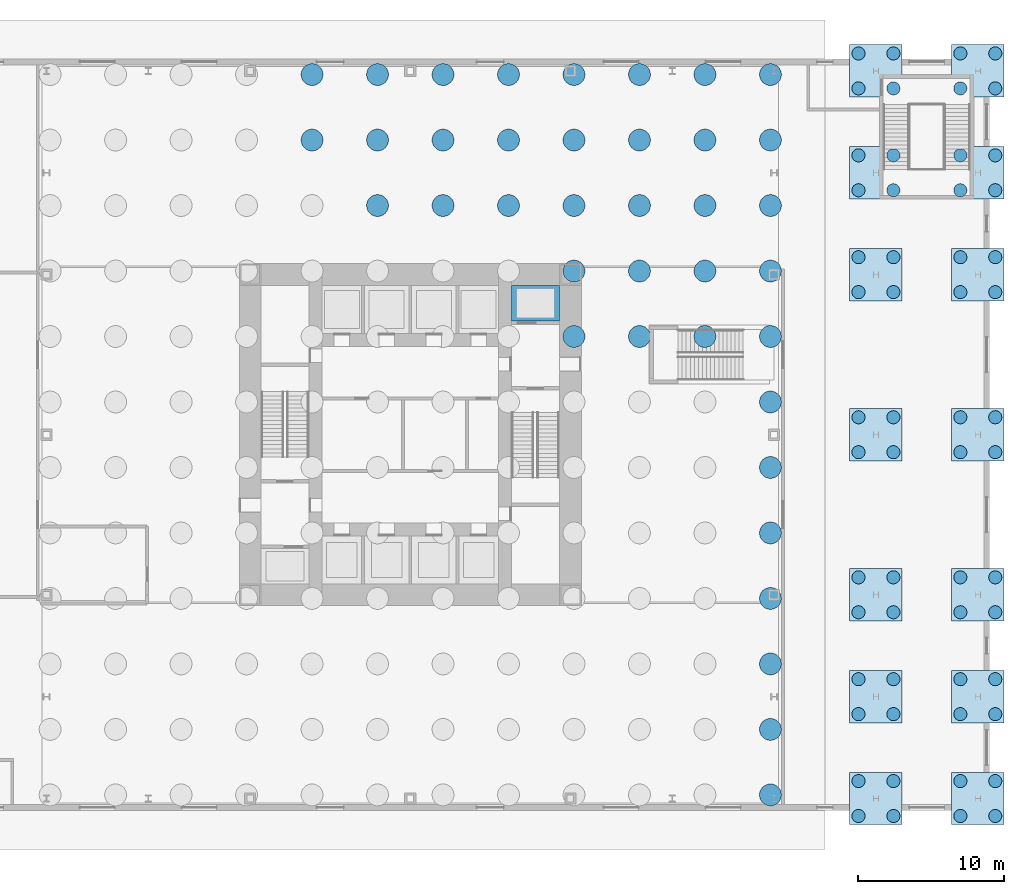
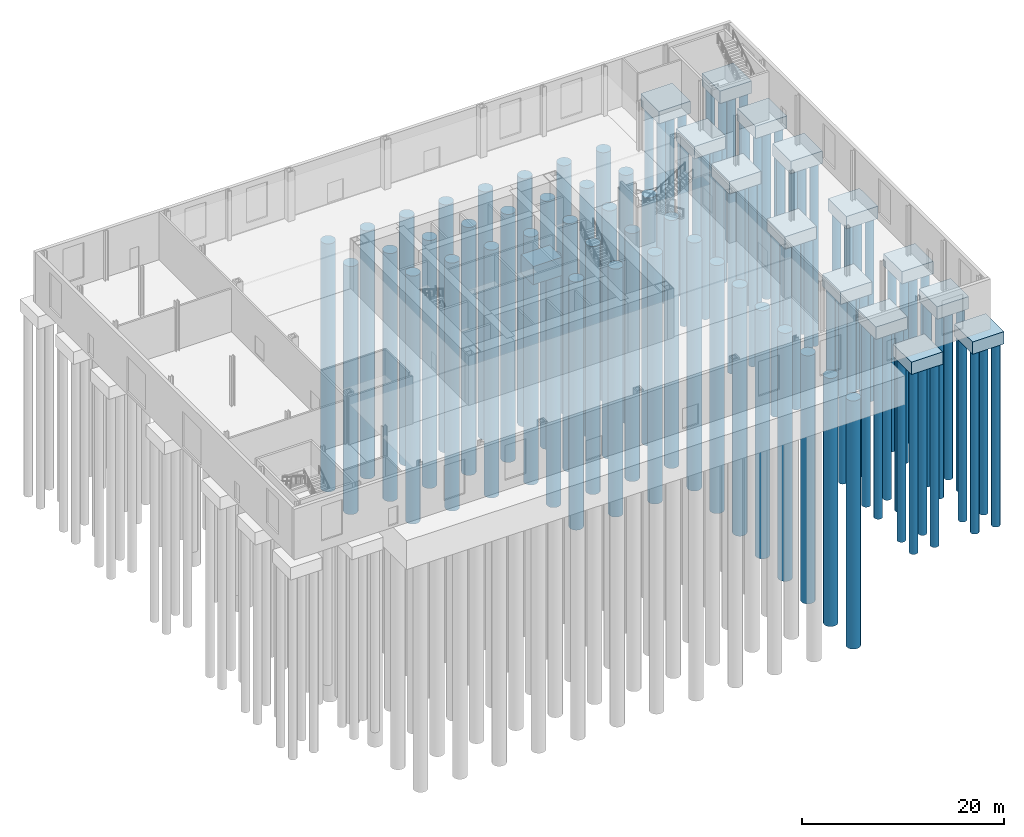
# One storey, part 2 of 16: 94 piles, 15 footings.
"""IFC4 building model written with IfcOpenShell, lengths in metres."""

from ifc_helpers import new_model, si_unit, direction, frame, origin, origin_2d, place, context, subcontext, project, spatial, polyline, circle, outline, extrude, material, layer, layer_set, material_profile, profile_set, type_object, element, save


model = new_model("IFC4")

# Units and contexts
model_context = context("Model", 3, precision=1e-05, world=origin(), true_north=direction((0.0, 1.0)))
body_context = subcontext(model_context, "Body", "Model", "MODEL_VIEW")
ifc_project = project(units=[si_unit("LENGTHUNIT", "METRE"), si_unit("AREAUNIT", "SQUARE_METRE"), si_unit("VOLUMEUNIT", "CUBIC_METRE"), si_unit("PLANEANGLEUNIT", "RADIAN"), si_unit("MASSUNIT", "GRAM", prefix="KILO")], contexts=[model_context])

# Site, building, storey
site_placement = place(None, origin())
site = spatial("IfcSite", under=ifc_project, at=site_placement, CompositionType="ELEMENT")
building_placement = place(site_placement, origin())
building = spatial("IfcBuilding", under=site, at=building_placement, Name="Trevanion Tower", CompositionType="ELEMENT")
storey_placement = place(building_placement, origin())
storey = spatial("IfcBuildingStorey", under=building, at=storey_placement, Name="L00", CompositionType="ELEMENT", Elevation=0.0)

# Piles
ifc_material_1 = material(Name="Concrete 6,000 psi", Category="concrete")
ifc_material_profile_1 = material_profile(ifc_material_1, circle(Radius=0.449951171875, at=origin_2d()), Name="BP1 bored pile 900")
ifc_profile_set_1 = profile_set([ifc_material_profile_1], Name="Concrete 6,000 psi")
pile_type_1 = type_object("IfcPileType", Name="BP1 bored pile 900", PredefinedType="BORED", material=ifc_profile_set_1)
for number, where, z_axis, x_axis, name in (
    (1, (30.800048828125, -26.199951171875, -1.800048828125), (0.0, 0.0, -1.0), (1.0, 0.0, 0.0), "BP1 18/A 1"),
    (2, (33.199951171875, -26.199951171875, -1.800048828125), (0.0, 0.0, -1.0), (1.0, 0.0, 0.0), "BP1 18/A 2"),
    (3, (33.199951171875, -23.800048828125, -1.800048828125), (0.0, 0.0, -1.0), (1.0, 0.0, 0.0), "BP1 18/A 3"),
    (4, (30.800048828125, -23.800048828125, -1.800048828125), (0.0, 0.0, -1.0), (1.0, 0.0, 0.0), "BP1 18/A 4"),
    (5, (30.800048828125, -19.199951171875, -1.800048828125), (0.0, 0.0, -1.0), (1.0, 0.0, 0.0), "BP1 18/D 1"),
    (6, (33.199951171875, -19.199951171875, -1.800048828125), (0.0, 0.0, -1.0), (1.0, 0.0, 0.0), "BP1 18/D 2"),
    (7, (33.199951171875, -16.800048828125, -1.800048828125), (0.0, 0.0, -1.0), (1.0, 0.0, 0.0), "BP1 18/D 3"),
    (8, (30.800048828125, -16.800048828125, -1.800048828125), (0.0, 0.0, -1.0), (1.0, 0.0, 0.0), "BP1 18/D 4"),
    (9, (30.800048828125, -12.199951171875, -1.800048828125), (0.0, 0.0, -1.0), (1.0, 0.0, 0.0), "BP1 18/F 1"),
    (10, (33.199951171875, -12.199951171875, -1.800048828125), (0.0, 0.0, -1.0), (1.0, 0.0, 0.0), "BP1 18/F 2"),
    (11, (33.199951171875, -9.800048828125, -1.800048828125), (0.0, 0.0, -1.0), (1.0, 0.0, 0.0), "BP1 18/F 3"),
    (12, (30.800048828125, -9.800048828125, -1.800048828125), (0.0, 0.0, -1.0), (1.0, 0.0, 0.0), "BP1 18/F 4"),
    (13, (30.800048828125, -1.199951171875, -1.800048828125), (0.0, 0.0, -1.0), (1.0, 0.0, 0.0), "BP1 18/H 1"),
    (14, (33.199951171875, -1.199951171875, -1.800048828125), (0.0, 0.0, -1.0), (1.0, 0.0, 0.0), "BP1 18/H 2"),
    (15, (33.199951171875, 1.199951171875, -1.800048828125), (0.0, 0.0, -1.0), (1.0, 0.0, 0.0), "BP1 18/H 3"),
    (16, (30.800048828125, 1.199951171875, -1.800048828125), (0.0, 0.0, -1.0), (1.0, 0.0, 0.0), "BP1 18/H 4"),
    (17, (30.800048828125, 9.800048828125, -1.800048828125), (0.0, 0.0, -1.0), (1.0, 0.0, 0.0), "BP1 18/K 1"),
    (18, (33.199951171875, 9.800048828125, -1.800048828125), (0.0, 0.0, -1.0), (1.0, 0.0, 0.0), "BP1 18/K 2"),
    (19, (33.199951171875, 12.199951171875, -1.800048828125), (0.0, 0.0, -1.0), (1.0, 0.0, 0.0), "BP1 18/K 3"),
    (20, (30.800048828125, 12.199951171875, -1.800048828125), (0.0, 0.0, -1.0), (1.0, 0.0, 0.0), "BP1 18/K 4"),
    (21, (30.800048828125, 16.800048828125, -1.800048828125), (0.0, 0.0, -1.0), (1.0, 0.0, 0.0), "BP1 18/M 1"),
    (22, (33.199951171875, 16.800048828125, -1.800048828125), (0.0, 0.0, -1.0), (1.0, 0.0, 0.0), "BP1 18/M 2"),
    (23, (33.199951171875, 19.199951171875, -1.800048828125), (0.0, 0.0, -1.0), (1.0, 0.0, 0.0), "BP1 18/M 3"),
    (24, (30.800048828125, 19.199951171875, -1.800048828125), (0.0, 0.0, -1.0), (1.0, 0.0, 0.0), "BP1 18/M 4"),
    (25, (30.800048828125, 23.800048828125, -1.800048828125), (0.0, 0.0, -1.0), (1.0, 0.0, 0.0), "BP1 18/Q 1"),
    (26, (33.199951171875, 23.800048828125, -1.800048828125), (0.0, 0.0, -1.0), (1.0, 0.0, 0.0), "BP1 18/Q 2"),
    (27, (33.199951171875, 26.199951171875, -1.800048828125), (0.0, 0.0, -1.0), (1.0, 0.0, 0.0), "BP1 18/Q 3"),
    (28, (30.800048828125, 26.199951171875, -1.800048828125), (0.0, 0.0, -1.0), (1.0, 0.0, 0.0), "BP1 18/Q 4"),
    (29, (37.800048828125, -26.199951171875, -1.800048828125), (0.0, 0.0, -1.0), (1.0, 0.0, 0.0), "BP1 19/A 1"),
    (30, (40.199951171875, -26.199951171875, -1.800048828125), (0.0, 0.0, -1.0), (1.0, 0.0, 0.0), "BP1 19/A 2"),
    (31, (40.199951171875, -23.800048828125, -1.800048828125), (0.0, 0.0, -1.0), (1.0, 0.0, 0.0), "BP1 19/A 3"),
    (32, (37.800048828125, -23.800048828125, -1.800048828125), (0.0, 0.0, -1.0), (1.0, 0.0, 0.0), "BP1 19/A 4"),
    (33, (37.800048828125, -19.199951171875, -1.800048828125), (0.0, 0.0, -1.0), (1.0, 0.0, 0.0), "BP1 19/D 1"),
    (34, (40.199951171875, -19.199951171875, -1.800048828125), (0.0, 0.0, -1.0), (1.0, 0.0, 0.0), "BP1 19/D 2"),
    (35, (40.199951171875, -16.800048828125, -1.800048828125), (0.0, 0.0, -1.0), (1.0, 0.0, 0.0), "BP1 19/D 3"),
    (36, (37.800048828125, -16.800048828125, -1.800048828125), (0.0, 0.0, -1.0), (1.0, 0.0, 0.0), "BP1 19/D 4"),
    (37, (37.800048828125, -12.199951171875, -1.800048828125), (0.0, 0.0, -1.0), (1.0, 0.0, 0.0), "BP1 19/F 1"),
    (38, (40.199951171875, -12.199951171875, -1.800048828125), (0.0, 0.0, -1.0), (1.0, 0.0, 0.0), "BP1 19/F 2"),
    (39, (40.199951171875, -9.800048828125, -1.800048828125), (0.0, 0.0, -1.0), (1.0, 0.0, 0.0), "BP1 19/F 3"),
    (40, (37.800048828125, -9.800048828125, -1.800048828125), (0.0, 0.0, -1.0), (1.0, 0.0, 0.0), "BP1 19/F 4"),
    (41, (37.800048828125, -1.199951171875, -1.800048828125), (0.0, 0.0, -1.0), (1.0, 0.0, 0.0), "BP1 19/H 1"),
    (42, (40.199951171875, -1.199951171875, -1.800048828125), (0.0, 0.0, -1.0), (1.0, 0.0, 0.0), "BP1 19/H 2"),
    (43, (40.199951171875, 1.199951171875, -1.800048828125), (0.0, 0.0, -1.0), (1.0, 0.0, 0.0), "BP1 19/H 3"),
    (44, (37.800048828125, 1.199951171875, -1.800048828125), (0.0, 0.0, -1.0), (1.0, 0.0, 0.0), "BP1 19/H 4"),
    (45, (37.800048828125, 9.800048828125, -1.800048828125), (0.0, 0.0, -1.0), (1.0, 0.0, 0.0), "BP1 19/K 1"),
    (46, (40.199951171875, 9.800048828125, -1.800048828125), (0.0, 0.0, -1.0), (1.0, 0.0, 0.0), "BP1 19/K 2"),
    (47, (40.199951171875, 12.199951171875, -1.800048828125), (0.0, 0.0, -1.0), (1.0, 0.0, 0.0), "BP1 19/K 3"),
    (48, (37.800048828125, 12.199951171875, -1.800048828125), (0.0, 0.0, -1.0), (1.0, 0.0, 0.0), "BP1 19/K 4"),
    (49, (37.800048828125, 16.800048828125, -1.800048828125), (0.0, 0.0, -1.0), (1.0, 0.0, 0.0), "BP1 19/M 1"),
    (50, (40.199951171875, 16.800048828125, -1.800048828125), (0.0, 0.0, -1.0), (1.0, 0.0, 0.0), "BP1 19/M 2"),
    (51, (40.199951171875, 19.199951171875, -1.800048828125), (0.0, 0.0, -1.0), (1.0, 0.0, 0.0), "BP1 19/M 3"),
    (52, (37.800048828125, 19.199951171875, -1.800048828125), (0.0, 0.0, -1.0), (1.0, 0.0, 0.0), "BP1 19/M 4"),
    (53, (37.800048828125, 23.800048828125, -1.800048828125), (0.0, 0.0, -1.0), (1.0, 0.0, 0.0), "BP1 19/Q 1"),
    (54, (40.199951171875, 23.800048828125, -1.800048828125), (0.0, 0.0, -1.0), (1.0, 0.0, 0.0), "BP1 19/Q 2"),
    (55, (40.199951171875, 26.199951171875, -1.800048828125), (0.0, 0.0, -1.0), (1.0, 0.0, 0.0), "BP1 19/Q 3"),
    (56, (37.800048828125, 26.199951171875, -1.800048828125), (0.0, 0.0, -1.0), (1.0, 0.0, 0.0), "BP1 19/Q 4"),
):
    element("IfcPile", number, at=place(storey_placement, frame(where, z_axis=z_axis, x_axis=x_axis)), inside=storey, type_object=pile_type_1, Name=name, PredefinedType="BORED", context=body_context, shape_type="SweptSolid", body=[
        extrude(circle(Radius=0.449951171875, at=origin_2d()), origin(), (0.0, 0.0, 1.0), 22.0),
    ])
ifc_material_2 = material(Name="Concrete 6,000 psi", Category="concrete")
ifc_material_profile_2 = material_profile(ifc_material_2, circle(Radius=0.75, at=origin_2d()), Name="DS1 drilled shaft 1500")
ifc_profile_set_2 = profile_set([ifc_material_profile_2], Name="Concrete 6,000 psi")
pile_type_2 = type_object("IfcPileType", Name="DS1 drilled shaft 1500", PredefinedType="BORED", material=ifc_profile_set_2)
for number, where, z_axis, x_axis, name in (
    (57, (-6.75, 20.25, -3.800048828125), (0.0, 0.0, -1.0), (1.0, 0.0, 0.0), "DS1-059"),
    (58, (-6.75, 24.75, -3.800048828125), (0.0, 0.0, -1.0), (1.0, 0.0, 0.0), "DS1-060"),
    (59, (-2.25, 15.75, -3.800048828125), (0.0, 0.0, -1.0), (1.0, 0.0, 0.0), "DS1-070"),
    (60, (-2.25, 20.25, -3.800048828125), (0.0, 0.0, -1.0), (1.0, 0.0, 0.0), "DS1-071"),
    (61, (-2.25, 24.75, -3.800048828125), (0.0, 0.0, -1.0), (1.0, 0.0, 0.0), "DS1-072"),
    (62, (2.25, 15.75, -3.800048828125), (0.0, 0.0, -1.0), (1.0, 0.0, 0.0), "DS1-082"),
    (63, (2.25, 20.25, -3.800048828125), (0.0, 0.0, -1.0), (1.0, 0.0, 0.0), "DS1-083"),
    (64, (2.25, 24.75, -3.800048828125), (0.0, 0.0, -1.0), (1.0, 0.0, 0.0), "DS1-084"),
    (65, (6.75, 15.75, -3.800048828125), (0.0, 0.0, -1.0), (1.0, 0.0, 0.0), "DS1-094"),
    (66, (6.75, 20.25, -3.800048828125), (0.0, 0.0, -1.0), (1.0, 0.0, 0.0), "DS1-095"),
    (67, (6.75, 24.75, -3.800048828125), (0.0, 0.0, -1.0), (1.0, 0.0, 0.0), "DS1-096"),
    (68, (11.25, 6.75, -3.800048828125), (0.0, 0.0, -1.0), (1.0, 0.0, 0.0), "DS1-104"),
    (69, (11.25, 11.25, -3.800048828125), (0.0, 0.0, -1.0), (1.0, 0.0, 0.0), "DS1-105"),
    (70, (11.25, 15.75, -3.800048828125), (0.0, 0.0, -1.0), (1.0, 0.0, 0.0), "DS1-106"),
    (71, (11.25, 20.25, -3.800048828125), (0.0, 0.0, -1.0), (1.0, 0.0, 0.0), "DS1-107"),
    (72, (11.25, 24.75, -3.800048828125), (0.0, 0.0, -1.0), (1.0, 0.0, 0.0), "DS1-108"),
    (73, (15.75, 6.75, -3.800048828125), (0.0, 0.0, -1.0), (1.0, 0.0, 0.0), "DS1-116"),
    (74, (15.75, 11.25, -3.800048828125), (0.0, 0.0, -1.0), (1.0, 0.0, 0.0), "DS1-117"),
    (75, (15.75, 15.75, -3.800048828125), (0.0, 0.0, -1.0), (1.0, 0.0, 0.0), "DS1-118"),
    (76, (15.75, 20.25, -3.800048828125), (0.0, 0.0, -1.0), (1.0, 0.0, 0.0), "DS1-119"),
    (77, (15.75, 24.75, -3.800048828125), (0.0, 0.0, -1.0), (1.0, 0.0, 0.0), "DS1-120"),
    (78, (20.25, 6.75, -3.800048828125), (0.0, 0.0, -1.0), (1.0, 0.0, 0.0), "DS1-128"),
    (79, (20.25, 11.25, -3.800048828125), (0.0, 0.0, -1.0), (1.0, 0.0, 0.0), "DS1-129"),
    (80, (20.25, 15.75, -3.800048828125), (0.0, 0.0, -1.0), (1.0, 0.0, 0.0), "DS1-130"),
    (81, (20.25, 20.25, -3.800048828125), (0.0, 0.0, -1.0), (1.0, 0.0, 0.0), "DS1-131"),
    (82, (20.25, 24.75, -3.800048828125), (0.0, 0.0, -1.0), (1.0, 0.0, 0.0), "DS1-132"),
    (83, (24.75, -24.75, -3.800048828125), (0.0, 0.0, -1.0), (1.0, 0.0, 0.0), "DS1-133"),
    (84, (24.75, -20.25, -3.800048828125), (0.0, 0.0, -1.0), (1.0, 0.0, 0.0), "DS1-134"),
    (85, (24.75, -15.75, -3.800048828125), (0.0, 0.0, -1.0), (1.0, 0.0, 0.0), "DS1-135"),
    (86, (24.75, -11.25, -3.800048828125), (0.0, 0.0, -1.0), (1.0, 0.0, 0.0), "DS1-136"),
    (87, (24.75, -6.75, -3.800048828125), (0.0, 0.0, -1.0), (1.0, 0.0, 0.0), "DS1-137"),
    (88, (24.75, -2.25, -3.800048828125), (0.0, 0.0, -1.0), (1.0, 0.0, 0.0), "DS1-138"),
    (89, (24.75, 2.25, -3.800048828125), (0.0, 0.0, -1.0), (1.0, 0.0, 0.0), "DS1-139"),
    (90, (24.75, 6.75, -3.800048828125), (0.0, 0.0, -1.0), (1.0, 0.0, 0.0), "DS1-140"),
    (91, (24.75, 11.25, -3.800048828125), (0.0, 0.0, -1.0), (1.0, 0.0, 0.0), "DS1-141"),
    (92, (24.75, 15.75, -3.800048828125), (0.0, 0.0, -1.0), (1.0, 0.0, 0.0), "DS1-142"),
    (93, (24.75, 20.25, -3.800048828125), (0.0, 0.0, -1.0), (1.0, 0.0, 0.0), "DS1-143"),
    (94, (24.75, 24.75, -3.800048828125), (0.0, 0.0, -1.0), (1.0, 0.0, 0.0), "DS1-144"),
):
    element("IfcPile", number, at=place(storey_placement, frame(where, z_axis=z_axis, x_axis=x_axis)), inside=storey, type_object=pile_type_2, Name=name, PredefinedType="BORED", context=body_context, shape_type="SweptSolid", body=[
        extrude(circle(Radius=0.75, at=origin_2d()), origin(), (0.0, 0.0, 1.0), 30.0),
    ])

# Footings
ifc_material_3 = material(Name="Concrete 8,000 psi", Category="concrete")
ifc_layer_1 = layer(ifc_material_3, 3.5)
ifc_layer_set_1 = layer_set([ifc_layer_1], Name="MAT1 piled mat")
footing_type_1 = type_object("IfcFootingType", Name="MAT1 piled mat", PredefinedType="PILE_CAP", material=ifc_layer_set_1)
footing_1_placement = place(storey_placement, frame((0.0, 0.0, -3.800048828125)))
element("IfcFooting", 95, at=footing_1_placement, inside=storey, type_object=footing_type_1, Name="MAT1 lift pit FL1", PredefinedType="PILE_CAP", context=body_context, shape_type="SweptSolid", body=[
    extrude(outline(polyline([(6.949951171875, 7.824951171875), (10.25, 7.824951171875), (10.25, 10.25), (6.949951171875, 10.25), (6.949951171875, 7.824951171875)])), origin(), (0.0, 0.0, 1.0), 2.199951171875),
])
ifc_material_4 = material(Name="Concrete 8,000 psi", Category="concrete")
ifc_layer_2 = layer(ifc_material_4, 1.5)
ifc_layer_set_2 = layer_set([ifc_layer_2], Name="PC4 four-pile cap")
footing_type_2 = type_object("IfcFootingType", Name="PC4 four-pile cap", PredefinedType="PILE_CAP", material=ifc_layer_set_2)
footing_2_placement = place(storey_placement, frame((0.0, 0.0, -1.800048828125)))
element("IfcFooting", 96, at=footing_2_placement, inside=storey, type_object=footing_type_2, Name="PC4 18/A", PredefinedType="PILE_CAP", context=body_context, shape_type="SweptSolid", body=[
    extrude(outline(polyline([(33.800048828125, -26.800048828125), (33.800048828125, -23.199951171875), (30.199951171875, -23.199951171875), (30.199951171875, -26.800048828125), (33.800048828125, -26.800048828125)])), origin(), (0.0, 0.0, 1.0), 1.5),
])
footing_3_placement = place(storey_placement, frame((0.0, 0.0, -1.800048828125)))
element("IfcFooting", 97, at=footing_3_placement, inside=storey, type_object=footing_type_2, Name="PC4 18/D", PredefinedType="PILE_CAP", context=body_context, shape_type="SweptSolid", body=[
    extrude(outline(polyline([(33.800048828125, -19.800048828125), (33.800048828125, -16.199951171875), (30.199951171875, -16.199951171875), (30.199951171875, -19.800048828125), (33.800048828125, -19.800048828125)])), origin(), (0.0, 0.0, 1.0), 1.5),
])
footing_4_placement = place(storey_placement, frame((0.0, 0.0, -1.800048828125)))
element("IfcFooting", 98, at=footing_4_placement, inside=storey, type_object=footing_type_2, Name="PC4 18/F", PredefinedType="PILE_CAP", context=body_context, shape_type="SweptSolid", body=[
    extrude(outline(polyline([(33.800048828125, -12.800048828125), (33.800048828125, -9.199951171875), (30.199951171875, -9.199951171875), (30.199951171875, -12.800048828125), (33.800048828125, -12.800048828125)])), origin(), (0.0, 0.0, 1.0), 1.5),
])
footing_5_placement = place(storey_placement, frame((0.0, 0.0, -1.800048828125)))
element("IfcFooting", 99, at=footing_5_placement, inside=storey, type_object=footing_type_2, Name="PC4 18/H", PredefinedType="PILE_CAP", context=body_context, shape_type="SweptSolid", body=[
    extrude(outline(polyline([(33.800048828125, -1.800048828125), (33.800048828125, 1.800048828125), (30.199951171875, 1.800048828125), (30.199951171875, -1.800048828125), (33.800048828125, -1.800048828125)])), origin(), (0.0, 0.0, 1.0), 1.5),
])
footing_6_placement = place(storey_placement, frame((0.0, 0.0, -1.800048828125)))
element("IfcFooting", 100, at=footing_6_placement, inside=storey, type_object=footing_type_2, Name="PC4 18/K", PredefinedType="PILE_CAP", context=body_context, shape_type="SweptSolid", body=[
    extrude(outline(polyline([(33.800048828125, 9.199951171875), (33.800048828125, 12.800048828125), (30.199951171875, 12.800048828125), (30.199951171875, 9.199951171875), (33.800048828125, 9.199951171875)])), origin(), (0.0, 0.0, 1.0), 1.5),
])
footing_7_placement = place(storey_placement, frame((0.0, 0.0, -1.800048828125)))
element("IfcFooting", 101, at=footing_7_placement, inside=storey, type_object=footing_type_2, Name="PC4 18/M", PredefinedType="PILE_CAP", context=body_context, shape_type="SweptSolid", body=[
    extrude(outline(polyline([(33.800048828125, 16.199951171875), (33.800048828125, 19.800048828125), (30.199951171875, 19.800048828125), (30.199951171875, 16.199951171875), (33.800048828125, 16.199951171875)])), origin(), (0.0, 0.0, 1.0), 1.5),
])
footing_8_placement = place(storey_placement, frame((0.0, 0.0, -1.800048828125)))
element("IfcFooting", 102, at=footing_8_placement, inside=storey, type_object=footing_type_2, Name="PC4 18/Q", PredefinedType="PILE_CAP", context=body_context, shape_type="SweptSolid", body=[
    extrude(outline(polyline([(33.800048828125, 23.199951171875), (33.800048828125, 26.800048828125), (30.199951171875, 26.800048828125), (30.199951171875, 23.199951171875), (33.800048828125, 23.199951171875)])), origin(), (0.0, 0.0, 1.0), 1.5),
])
footing_9_placement = place(storey_placement, frame((0.0, 0.0, -1.800048828125)))
element("IfcFooting", 103, at=footing_9_placement, inside=storey, type_object=footing_type_2, Name="PC4 19/A", PredefinedType="PILE_CAP", context=body_context, shape_type="SweptSolid", body=[
    extrude(outline(polyline([(40.800048828125, -26.800048828125), (40.800048828125, -23.199951171875), (37.199951171875, -23.199951171875), (37.199951171875, -26.800048828125), (40.800048828125, -26.800048828125)])), origin(), (0.0, 0.0, 1.0), 1.5),
])
footing_10_placement = place(storey_placement, frame((0.0, 0.0, -1.800048828125)))
element("IfcFooting", 104, at=footing_10_placement, inside=storey, type_object=footing_type_2, Name="PC4 19/D", PredefinedType="PILE_CAP", context=body_context, shape_type="SweptSolid", body=[
    extrude(outline(polyline([(40.800048828125, -19.800048828125), (40.800048828125, -16.199951171875), (37.199951171875, -16.199951171875), (37.199951171875, -19.800048828125), (40.800048828125, -19.800048828125)])), origin(), (0.0, 0.0, 1.0), 1.5),
])
footing_11_placement = place(storey_placement, frame((0.0, 0.0, -1.800048828125)))
element("IfcFooting", 105, at=footing_11_placement, inside=storey, type_object=footing_type_2, Name="PC4 19/F", PredefinedType="PILE_CAP", context=body_context, shape_type="SweptSolid", body=[
    extrude(outline(polyline([(40.800048828125, -12.800048828125), (40.800048828125, -9.199951171875), (37.199951171875, -9.199951171875), (37.199951171875, -12.800048828125), (40.800048828125, -12.800048828125)])), origin(), (0.0, 0.0, 1.0), 1.5),
])
footing_12_placement = place(storey_placement, frame((0.0, 0.0, -1.800048828125)))
element("IfcFooting", 106, at=footing_12_placement, inside=storey, type_object=footing_type_2, Name="PC4 19/H", PredefinedType="PILE_CAP", context=body_context, shape_type="SweptSolid", body=[
    extrude(outline(polyline([(40.800048828125, -1.800048828125), (40.800048828125, 1.800048828125), (37.199951171875, 1.800048828125), (37.199951171875, -1.800048828125), (40.800048828125, -1.800048828125)])), origin(), (0.0, 0.0, 1.0), 1.5),
])
footing_13_placement = place(storey_placement, frame((0.0, 0.0, -1.800048828125)))
element("IfcFooting", 107, at=footing_13_placement, inside=storey, type_object=footing_type_2, Name="PC4 19/K", PredefinedType="PILE_CAP", context=body_context, shape_type="SweptSolid", body=[
    extrude(outline(polyline([(40.800048828125, 9.199951171875), (40.800048828125, 12.800048828125), (37.199951171875, 12.800048828125), (37.199951171875, 9.199951171875), (40.800048828125, 9.199951171875)])), origin(), (0.0, 0.0, 1.0), 1.5),
])
footing_14_placement = place(storey_placement, frame((0.0, 0.0, -1.800048828125)))
element("IfcFooting", 108, at=footing_14_placement, inside=storey, type_object=footing_type_2, Name="PC4 19/M", PredefinedType="PILE_CAP", context=body_context, shape_type="SweptSolid", body=[
    extrude(outline(polyline([(40.800048828125, 16.199951171875), (40.800048828125, 19.800048828125), (37.199951171875, 19.800048828125), (37.199951171875, 16.199951171875), (40.800048828125, 16.199951171875)])), origin(), (0.0, 0.0, 1.0), 1.5),
])
footing_15_placement = place(storey_placement, frame((0.0, 0.0, -1.800048828125)))
element("IfcFooting", 109, at=footing_15_placement, inside=storey, type_object=footing_type_2, Name="PC4 19/Q", PredefinedType="PILE_CAP", context=body_context, shape_type="SweptSolid", body=[
    extrude(outline(polyline([(40.800048828125, 23.199951171875), (40.800048828125, 26.800048828125), (37.199951171875, 26.800048828125), (37.199951171875, 23.199951171875), (40.800048828125, 23.199951171875)])), origin(), (0.0, 0.0, 1.0), 1.5),
])

save(model, "model.ifc")
